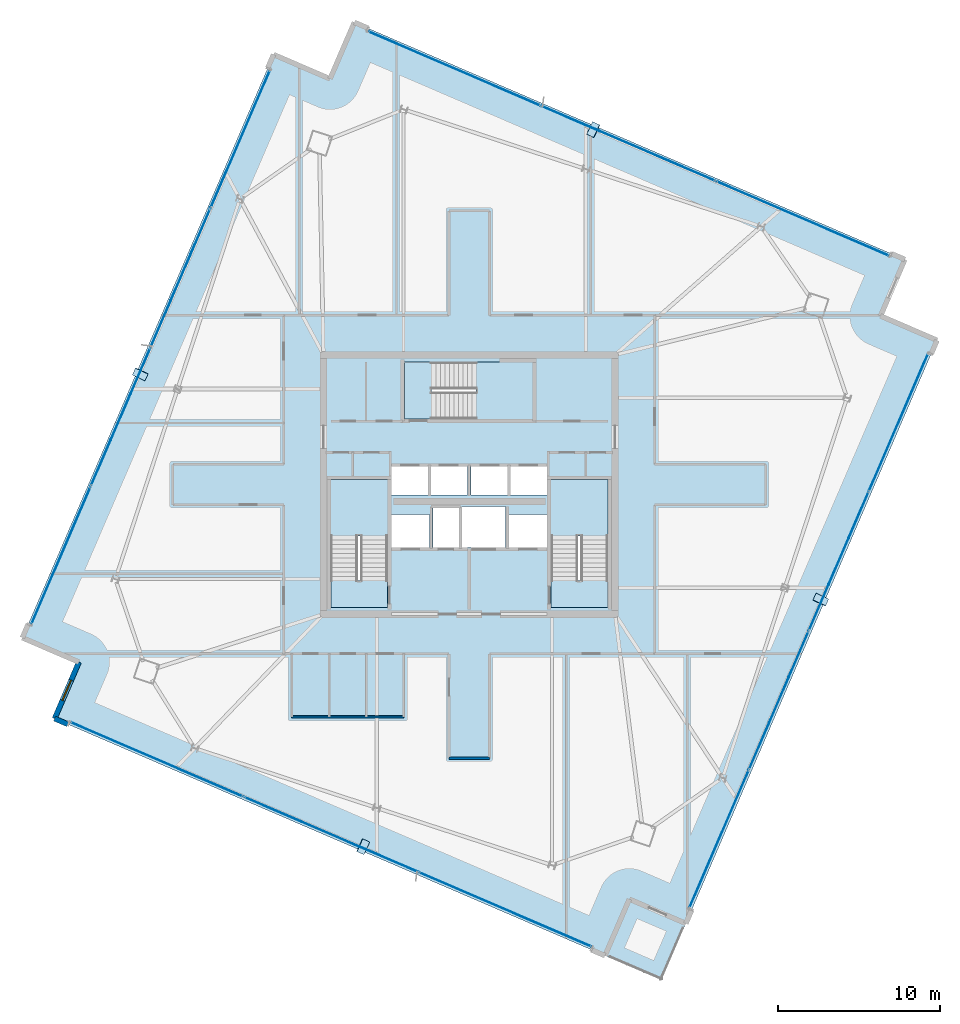
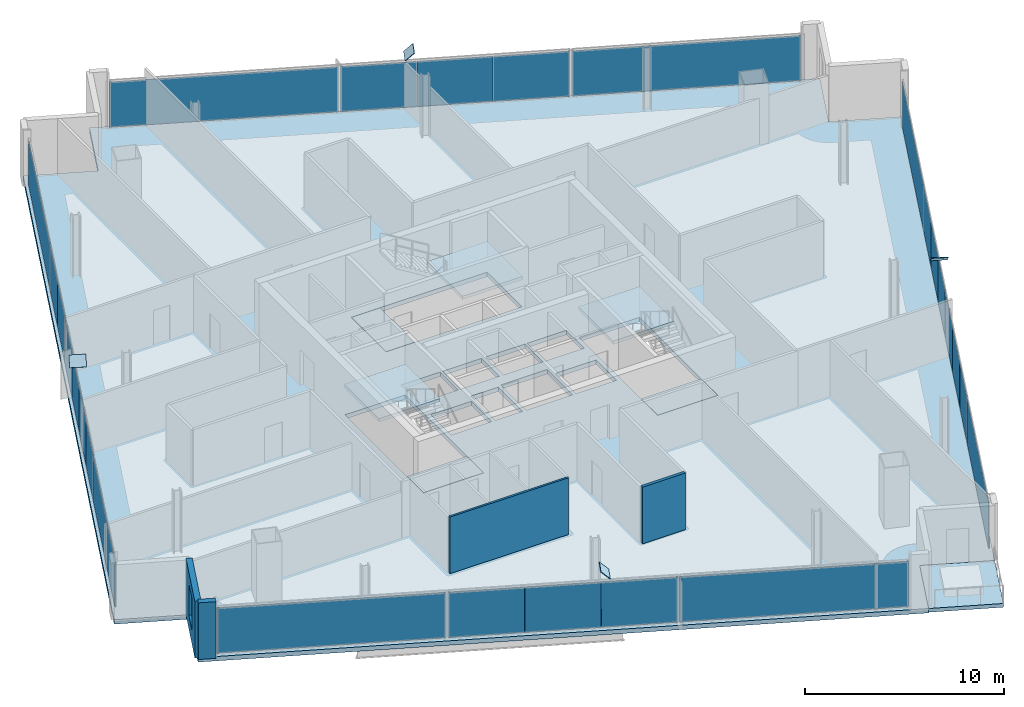
# One storey, part 19 of 28: 30 plates, 8 slabs, 4 walls, 1 window, 1 opening, 7 elements without a shape of their own.
"""IFC4 building model written with IfcOpenShell, lengths in metres."""

from ifc_helpers import new_model, si_unit, direction, frame, frame_2d, origin, origin_2d, place, context, subcontext, project, spatial, polyline, rectangle, outline, extrude, source, transform, mapped, material, layer, layer_set, type_object, element, fill, aggregate, save


model = new_model("IFC4")

# Units and contexts
model_context = context("Model", 3, precision=1e-05, world=origin(), true_north=direction((0.0, 1.0)))
body_context = subcontext(model_context, "Body", "Model", "MODEL_VIEW")
ifc_project = project(units=[si_unit("LENGTHUNIT", "METRE"), si_unit("AREAUNIT", "SQUARE_METRE"), si_unit("VOLUMEUNIT", "CUBIC_METRE"), si_unit("PLANEANGLEUNIT", "RADIAN"), si_unit("MASSUNIT", "GRAM", prefix="KILO")], contexts=[model_context])

# Site, building, storey
site_placement = place(None, origin())
site = spatial("IfcSite", under=ifc_project, at=site_placement, CompositionType="ELEMENT")
building_placement = place(site_placement, origin())
building = spatial("IfcBuilding", under=site, at=building_placement, Name="Haldenkirk Collegiate Tower", CompositionType="ELEMENT")
storey_placement = place(building_placement, frame((0.0, 0.0, 252.449951171875)))
storey = spatial("IfcBuildingStorey", under=building, at=storey_placement, Name="L63", CompositionType="ELEMENT", Elevation=252.449951171875)

# Slab
ifc_material_1 = material(Name="Concrete f'c 40 MPa", Category="concrete")
ifc_layer_1 = layer(ifc_material_1, 0.27001953125)
ifc_layer_set_1 = layer_set([ifc_layer_1], Name="Concrete f'c 40 MPa")
slab_type_1 = type_object("IfcSlabType", Name="SLB-FLR-270", PredefinedType="FLOOR", material=ifc_layer_set_1)
slab_1_placement = place(storey_placement, frame((0.0, 0.0, -0.27001953125)))
element("IfcSlab", 1, at=slab_1_placement, inside=storey, type_object=slab_type_1, Name="L63 composite structural floor slab", PredefinedType="FLOOR", context=body_context, shape_type="SweptSolid", body=[
    extrude(outline(polyline([(49.37158203125, -1.09912109375), (64.876953125, 34.904052734375), (61.386962890625, 36.406982421875), (62.889892578125, 39.897216796875), (28.907470703125, 54.532470703125), (27.404296875, 51.042236328125), (23.914306640625, 52.54541015625), (8.408935546875, 16.542236328125), (11.89892578125, 15.039306640625), (10.39599609375, 11.549072265625), (44.37841796875, -3.086181640625), (45.881591796875, 0.404052734375), (49.37158203125, -1.09912109375)]), holes=[polyline([(27.449951171875, 18.39990234375), (30.949951171875, 18.39990234375), (30.949951171875, 26.300048828125), (27.449951171875, 26.300048828125), (27.449951171875, 18.39990234375)]), polyline([(41.050048828125, 18.39990234375), (44.550048828125, 18.39990234375), (44.550048828125, 26.300048828125), (41.050048828125, 26.300048828125), (41.050048828125, 18.39990234375)]), polyline([(32.0, 30.050048828125), (39.89990234375, 30.050048828125), (39.89990234375, 33.550048828125), (32.0, 33.550048828125), (32.0, 30.050048828125)]), polyline([(33.75, 22.10009765625), (35.35009765625, 22.10009765625), (35.35009765625, 24.550048828125), (33.75, 24.550048828125), (33.75, 22.10009765625)]), polyline([(31.199951171875, 25.35009765625), (33.47998046875, 25.35009765625), (33.47998046875, 27.14990234375), (31.199951171875, 27.14990234375), (31.199951171875, 25.35009765625)]), polyline([(33.60009765625, 25.35009765625), (35.8798828125, 25.35009765625), (35.8798828125, 27.14990234375), (33.60009765625, 27.14990234375), (33.60009765625, 25.35009765625)]), polyline([(36.1201171875, 25.35009765625), (38.39990234375, 25.35009765625), (38.39990234375, 27.14990234375), (36.1201171875, 27.14990234375), (36.1201171875, 25.35009765625)]), polyline([(38.52001953125, 25.35009765625), (40.800048828125, 25.35009765625), (40.800048828125, 27.14990234375), (38.52001953125, 27.14990234375), (38.52001953125, 25.35009765625)]), polyline([(31.199951171875, 22.10009765625), (33.550048828125, 22.10009765625), (33.550048828125, 24.14990234375), (31.199951171875, 24.14990234375), (31.199951171875, 22.10009765625)]), polyline([(38.449951171875, 22.10009765625), (40.800048828125, 22.10009765625), (40.800048828125, 24.14990234375), (38.449951171875, 24.14990234375), (38.449951171875, 22.10009765625)]), polyline([(35.550048828125, 22.10009765625), (38.25, 22.10009765625), (38.25, 24.64990234375), (35.550048828125, 24.64990234375), (35.550048828125, 22.10009765625)])]), origin(), (0.0, 0.0, 1.0), 0.27001953125),
])

# Stair, slab
stair_type = type_object("IfcStairType", Name="STR-DOGLEG-1650", PredefinedType="HALF_TURN_STAIR", material=ifc_material_1)
stair_1_placement = place(storey_placement, origin())
stair_1 = element("IfcStair", 2, at=stair_1_placement, inside=storey, type_object=stair_type, Name="L63 Core Exit Stair ST-1", PredefinedType="HALF_TURN_STAIR")
ifc_layer_2 = layer(ifc_material_1, 0.199951171875)
ifc_layer_set_2 = layer_set([ifc_layer_2], Name="Concrete f'c 40 MPa")
slab_type_2 = type_object("IfcSlabType", Name="SLB-LANDING-200", PredefinedType="LANDING", material=ifc_layer_set_2)
slab_2_placement = place(storey_placement, frame((0.0, 0.0, 1.675048828125)))
slab_2 = element("IfcSlab", 3, at=slab_2_placement, type_object=slab_type_2, Name="ST-1 landing 1", PredefinedType="LANDING", context=body_context, shape_type="SweptSolid", body=[
    extrude(outline(polyline([(30.97509765625, 22.824951171875), (27.425048828125, 22.824951171875), (27.425048828125, 26.324951171875), (30.97509765625, 26.324951171875), (30.97509765625, 22.824951171875)])), origin(), (0.0, 0.0, 1.0), 0.199951171875),
])
aggregate(stair_1, [slab_2])

stair_2_placement = place(storey_placement, origin())
stair_2 = element("IfcStair", 4, at=stair_2_placement, inside=storey, type_object=stair_type, Name="L63 Core Exit Stair ST-2", PredefinedType="HALF_TURN_STAIR")
slab_3_placement = place(storey_placement, frame((0.0, 0.0, 1.675048828125)))
slab_3 = element("IfcSlab", 5, at=slab_3_placement, type_object=slab_type_2, Name="ST-2 landing 1", PredefinedType="LANDING", context=body_context, shape_type="SweptSolid", body=[
    extrude(outline(polyline([(44.574951171875, 22.824951171875), (41.02490234375, 22.824951171875), (41.02490234375, 26.324951171875), (44.574951171875, 26.324951171875), (44.574951171875, 22.824951171875)])), origin(), (0.0, 0.0, 1.0), 0.199951171875),
])
aggregate(stair_2, [slab_3])

stair_3_placement = place(storey_placement, origin())
stair_3 = element("IfcStair", 6, at=stair_3_placement, inside=storey, type_object=stair_type, Name="L63 Core Exit Stair ST-3", PredefinedType="HALF_TURN_STAIR")
slab_4_placement = place(storey_placement, frame((0.0, 0.0, 1.675048828125)))
slab_4 = element("IfcSlab", 7, at=slab_4_placement, type_object=slab_type_2, Name="ST-3 landing 1", PredefinedType="LANDING", context=body_context, shape_type="SweptSolid", body=[
    extrude(outline(polyline([(36.425048828125, 30.02490234375), (36.425048828125, 33.574951171875), (39.925048828125, 33.574951171875), (39.925048828125, 30.02490234375), (36.425048828125, 30.02490234375)])), origin(), (0.0, 0.0, 1.0), 0.199951171875),
])
aggregate(stair_3, [slab_4])

# Slabs
ifc_layer_3 = layer(ifc_material_1, 0.25)
ifc_layer_set_3 = layer_set([ifc_layer_3], Name="Concrete f'c 40 MPa")
slab_type_3 = type_object("IfcSlabType", Name="SLB-STAIRLAND-250", PredefinedType="LANDING", material=ifc_layer_set_3)
slab_5_placement = place(storey_placement, frame((0.0, 0.0, -0.25)))
element("IfcSlab", 8, at=slab_5_placement, inside=storey, type_object=slab_type_3, Name="L63 stair ST1 structural floor landing slab", PredefinedType="LANDING", context=body_context, shape_type="SweptSolid", body=[
    extrude(outline(polyline([(27.4599609375, 18.409912109375), (30.93994140625, 18.409912109375), (30.93994140625, 20.080078125), (27.4599609375, 20.080078125), (27.4599609375, 18.409912109375)])), origin(), (0.0, 0.0, 1.0), 0.25),
])
slab_6_placement = place(storey_placement, frame((0.0, 0.0, -0.25)))
element("IfcSlab", 9, at=slab_6_placement, inside=storey, type_object=slab_type_3, Name="L63 stair ST2 structural floor landing slab", PredefinedType="LANDING", context=body_context, shape_type="SweptSolid", body=[
    extrude(outline(polyline([(41.06005859375, 18.409912109375), (44.5400390625, 18.409912109375), (44.5400390625, 20.080078125), (41.06005859375, 20.080078125), (41.06005859375, 18.409912109375)])), origin(), (0.0, 0.0, 1.0), 0.25),
])
slab_7_placement = place(storey_placement, frame((0.0, 0.0, -0.25)))
element("IfcSlab", 10, at=slab_7_placement, inside=storey, type_object=slab_type_3, Name="L63 stair ST3 structural floor landing slab", PredefinedType="LANDING", context=body_context, shape_type="SweptSolid", body=[
    extrude(outline(polyline([(32.010009765625, 30.06005859375), (33.679931640625, 30.06005859375), (33.679931640625, 33.5400390625), (32.010009765625, 33.5400390625), (32.010009765625, 30.06005859375)])), origin(), (0.0, 0.0, 1.0), 0.25),
])
ifc_layer_4 = layer(ifc_material_1, 0.22998046875)
ifc_layer_set_4 = layer_set([ifc_layer_4], Name="Concrete f'c 40 MPa")
slab_type_4 = type_object("IfcSlabType", Name="SLB-TERR-SPIRAL-230", PredefinedType="FLOOR", material=ifc_layer_set_4)
slab_8_placement = place(storey_placement, frame((0.0, 0.0, -0.22998046875)))
element("IfcSlab", 11, at=slab_8_placement, inside=storey, type_object=slab_type_4, Name="L63 spiralling corner terrace slab", PredefinedType="FLOOR", context=body_context, shape_type="SweptSolid", body=[
    extrude(outline(polyline([(47.868408203125, -4.589111328125), (49.37158203125, -1.09912109375), (45.881591796875, 0.404052734375), (44.37841796875, -3.086181640625), (47.868408203125, -4.589111328125)])), origin(), (0.0, 0.0, 1.0), 0.22998046875),
])

# Plates
ifc_material_2 = material(Name="Steel ASTM A572 Grade 50", Category="steel")
ifc_layer_5 = layer(ifc_material_2, 0.034912109375)
ifc_layer_set_5 = layer_set([ifc_layer_5], Name="Steel ASTM A572 Grade 50")
plate_type_1 = type_object("IfcPlateType", Name="PLT-CAP-EXT-760X600", PredefinedType="USERDEFINED", material=ifc_layer_set_5)
shared_shape_1 = source(origin(), body_context, "Body", "SweptSolid", [
    extrude(rectangle(XDim=0.860107421875, YDim=0.659912109375, at=origin_2d()), origin(), (0.0, 0.0, 1.0), 0.034912109375),
])
for number, where, z_axis, x_axis, name in (
    (12, (57.696533203125, 18.88037109375, 3.468017578125), (0.302261025451, 0.649100054655, 0.698074058779), (-0.906531996108, 0.422137110466, 9.9233e-08), "Perimeter Mega Brace Z5 L61-L63 SL end cap plate 2"),
    (13, (43.667724609375, 47.90576171875, 3.468017578125), (-0.630324808105, 0.294665910292, 0.718235781341), (-0.423492771945, -0.905899482343, -4.24112e-07), "Perimeter Mega Brace Z5 L61-L63 EL end cap plate 2"),
    (14, (15.691162109375, 32.81591796875, 3.468017578125), (-0.304192068022, -0.650800145529, 0.695648155558), (0.905924098725, -0.4234401107, 5.6631e-08), "Perimeter Mega Brace Z5 L61-L63 NL end cap plate 2"),
    (15, (29.439697265625, 3.643798828125, 3.468017578125), (0.633144802174, -0.291306908981, 0.717124775935), (0.417977551627, 0.908457355265, -5.71915e-07), "Perimeter Mega Brace Z5 L61-L63 WL end cap plate 2"),
):
    element("IfcPlate", number, at=place(storey_placement, frame(where, z_axis=z_axis, x_axis=x_axis)), inside=storey, type_object=plate_type_1, Name=name, ObjectType="END CAP PLATE", PredefinedType="USERDEFINED", context=body_context, shape_type="MappedRepresentation", body=[
        mapped(shared_shape_1, transform((0.0, 0.0, 0.0), x_axis=(1.0, 0.0, 0.0), y_axis=(0.0, 1.0, 0.0), z_axis=(0.0, 0.0, 1.0), scale=1.0)),
    ])

# Curtain wall, plates
ifc_material_3 = material(Name="Anodised architectural bronze aluminium", Category="aluminium")
curtain_wall_type_1 = type_object("IfcCurtainWallType", Name="CW-SYS2-CONCAVE", PredefinedType="USERDEFINED", material=ifc_material_3)
curtain_wall_1_placement = place(storey_placement, origin())
curtain_wall_1 = element("IfcCurtainWall", 16, at=curtain_wall_1_placement, inside=storey, type_object=curtain_wall_type_1, Name="L63 South concave recessed bronze-anodised curtain wall", ObjectType="UNITISED CURTAIN WALL", PredefinedType="USERDEFINED")
ifc_material_4 = material(Name="Low-E argon triple insulating glass", Category="glass")
ifc_layer_6 = layer(ifc_material_4, 0.0419921875)
ifc_layer_set_6 = layer_set([ifc_layer_6], Name="Low-E argon triple insulating glass")
plate_type_2 = type_object("IfcPlateType", Name="CW-PNL-02", PredefinedType="CURTAIN_PANEL", material=ifc_layer_set_6)
shared_shape_2 = source(origin(), body_context, "Body", "SweptSolid", [
    extrude(rectangle(XDim=9.237548828125, YDim=0.0419921875, at=origin_2d()), origin(), (0.0, 0.0, 1.0), 2.7880859375),
])
plate_1_placement = place(storey_placement, frame((62.4990234375, 29.837646484375, 0.074951171875), z_axis=(0.0, 0.0, 1.0), x_axis=(-0.395545410215, -0.918446421115, 0.0)))
plate_1 = element("IfcPlate", 17, at=plate_1_placement, type_object=plate_type_2, Name="CW-02 panel 1.1", PredefinedType="CURTAIN_PANEL", context=body_context, shape_type="MappedRepresentation", body=[
    mapped(shared_shape_2, transform((0.0, 0.0, 0.0), x_axis=(1.0, 0.0, 0.0), y_axis=(0.0, 1.0, 0.0), z_axis=(0.0, 0.0, 1.0), scale=1.0)),
])
plate_2_placement = place(storey_placement, frame((51.4189453125, 4.109619140625, 0.074951171875), z_axis=(0.0, 0.0, 1.0), x_axis=(-0.395545410215, -0.918446421115, 0.0)))
plate_2 = element("IfcPlate", 18, at=plate_2_placement, type_object=plate_type_2, Name="CW-02 panel 4.1", PredefinedType="CURTAIN_PANEL", context=body_context, shape_type="MappedRepresentation", body=[
    mapped(shared_shape_2, transform((0.0, 0.0, 0.0), x_axis=(1.0, 0.0, 0.0), y_axis=(0.0, 1.0, 0.0), z_axis=(0.0, 0.0, 1.0), scale=1.0)),
])
shared_shape_3 = source(origin(), body_context, "Body", "SweptSolid", [
    extrude(rectangle(XDim=3.0791015625, YDim=0.0419921875, at=origin_2d()), origin(), (0.0, 0.0, 1.0), 2.7880859375),
])
plate_3_placement = place(storey_placement, frame((60.033447265625, 24.11279296875, 0.074951171875), z_axis=(0.0, 0.0, 1.0), x_axis=(-0.395545410215, -0.918446421115, 0.0)))
plate_3 = element("IfcPlate", 19, at=plate_3_placement, type_object=plate_type_2, Name="CW-02 panel 2.1a", PredefinedType="CURTAIN_PANEL", context=body_context, shape_type="MappedRepresentation", body=[
    mapped(shared_shape_3, transform((0.0, 0.0, 0.0), x_axis=(1.0, 0.0, 0.0), y_axis=(0.0, 1.0, 0.0), z_axis=(0.0, 0.0, 1.0), scale=1.0)),
])
ifc_material_5 = material(Name="Bronze-anodised insulated aluminium spandrel panel", Category="aluminium")
ifc_layer_7 = layer(ifc_material_5, 0.0419921875)
ifc_layer_set_7 = layer_set([ifc_layer_7], Name="Bronze-anodised insulated aluminium spandrel panel")
plate_type_3 = type_object("IfcPlateType", Name="CW-SPD-02", PredefinedType="CURTAIN_PANEL", material=ifc_layer_set_7)
plate_4_placement = place(storey_placement, frame((57.582763671875, 18.422119140625, 0.074951171875), z_axis=(0.0, 0.0, 1.0), x_axis=(-0.395545410215, -0.918446421115, 0.0)))
plate_4 = element("IfcPlate", 20, at=plate_4_placement, type_object=plate_type_3, Name="CW-02 spandrel panel 2.1c", PredefinedType="CURTAIN_PANEL", context=body_context, shape_type="MappedRepresentation", body=[
    mapped(shared_shape_3, transform((0.0, 0.0, 0.0), x_axis=(1.0, 0.0, 0.0), y_axis=(0.0, 1.0, 0.0), z_axis=(0.0, 0.0, 1.0), scale=1.0)),
])
plate_5_placement = place(storey_placement, frame((56.335205078125, 15.525146484375, 0.074951171875), z_axis=(0.0, 0.0, 1.0), x_axis=(-0.395545410215, -0.918446421115, 0.0)))
plate_5 = element("IfcPlate", 21, at=plate_5_placement, type_object=plate_type_3, Name="CW-02 spandrel panel 3.1a", PredefinedType="CURTAIN_PANEL", context=body_context, shape_type="MappedRepresentation", body=[
    mapped(shared_shape_3, transform((0.0, 0.0, 0.0), x_axis=(1.0, 0.0, 0.0), y_axis=(0.0, 1.0, 0.0), z_axis=(0.0, 0.0, 1.0), scale=1.0)),
])
plate_6_placement = place(storey_placement, frame((53.884521484375, 9.834716796875, 0.074951171875), z_axis=(0.0, 0.0, 1.0), x_axis=(-0.395545410215, -0.918446421115, 0.0)))
plate_6 = element("IfcPlate", 22, at=plate_6_placement, type_object=plate_type_2, Name="CW-02 panel 3.1c", PredefinedType="CURTAIN_PANEL", context=body_context, shape_type="MappedRepresentation", body=[
    mapped(shared_shape_3, transform((0.0, 0.0, 0.0), x_axis=(1.0, 0.0, 0.0), y_axis=(0.0, 1.0, 0.0), z_axis=(0.0, 0.0, 1.0), scale=1.0)),
])
shared_shape_4 = source(origin(), body_context, "Body", "SweptSolid", [
    extrude(rectangle(XDim=3.066650390625, YDim=0.0419921875, at=origin_2d()), origin(), (0.0, 0.0, 1.0), 2.7880859375),
])
plate_7_placement = place(storey_placement, frame((58.80810546875, 21.267333984375, 0.074951171875), z_axis=(0.0, 0.0, 1.0), x_axis=(-0.395545410215, -0.918446421115, 0.0)))
plate_7 = element("IfcPlate", 23, at=plate_7_placement, type_object=plate_type_2, Name="CW-02 panel 2.1b", PredefinedType="CURTAIN_PANEL", context=body_context, shape_type="MappedRepresentation", body=[
    mapped(shared_shape_4, transform((0.0, 0.0, 0.0), x_axis=(1.0, 0.0, 0.0), y_axis=(0.0, 1.0, 0.0), z_axis=(0.0, 0.0, 1.0), scale=1.0)),
])
plate_8_placement = place(storey_placement, frame((55.10986328125, 12.679931640625, 0.074951171875), z_axis=(0.0, 0.0, 1.0), x_axis=(-0.395545410215, -0.918446421115, 0.0)))
plate_8 = element("IfcPlate", 24, at=plate_8_placement, type_object=plate_type_2, Name="CW-02 panel 3.1b", PredefinedType="CURTAIN_PANEL", context=body_context, shape_type="MappedRepresentation", body=[
    mapped(shared_shape_4, transform((0.0, 0.0, 0.0), x_axis=(1.0, 0.0, 0.0), y_axis=(0.0, 1.0, 0.0), z_axis=(0.0, 0.0, 1.0), scale=1.0)),
])
aggregate(curtain_wall_1, [plate_1, plate_3, plate_7, plate_4, plate_5, plate_8, plate_6, plate_2])

curtain_wall_type_2 = type_object("IfcCurtainWallType", Name="CW-SYS1B-CONVEX-HI", PredefinedType="USERDEFINED", material=ifc_material_3)
curtain_wall_2_placement = place(storey_placement, origin())
curtain_wall_2 = element("IfcCurtainWall", 25, at=curtain_wall_2_placement, inside=storey, type_object=curtain_wall_type_2, Name="L63 Upper tower high-wind convex bronze unitised curtain wall", ObjectType="UNITISED CURTAIN WALL", PredefinedType="USERDEFINED")
ifc_layer_8 = layer(ifc_material_4, 0.048095703125)
ifc_layer_set_8 = layer_set([ifc_layer_8], Name="Low-E argon triple insulating glass")
plate_type_4 = type_object("IfcPlateType", Name="CW-PNL-1B", PredefinedType="CURTAIN_PANEL", material=ifc_layer_set_8)
shared_shape_5 = source(origin(), body_context, "Body", "SweptSolid", [
    extrude(rectangle(XDim=11.605712890625, YDim=0.048095703125, at=origin_2d()), origin(), (0.0, 0.0, 1.0), 2.76806640625),
])
plate_9_placement = place(storey_placement, frame((35.070556640625, 51.68212890625, 0.0849609375), z_axis=(0.0, 0.0, 1.0), x_axis=(0.918446342676, -0.395545592347, 0.0)))
plate_9 = element("IfcPlate", 26, at=plate_9_placement, type_object=plate_type_4, Name="CW-1B panel 1.1", PredefinedType="CURTAIN_PANEL", context=body_context, shape_type="MappedRepresentation", body=[
    mapped(shared_shape_5, transform((0.0, 0.0, 0.0), x_axis=(1.0, 0.0, 0.0), y_axis=(0.0, 1.0, 0.0), z_axis=(0.0, 0.0, 1.0), scale=1.0)),
])
plate_10_placement = place(storey_placement, frame((56.58447265625, 42.416748046875, 0.0849609375), z_axis=(0.0, 0.0, 1.0), x_axis=(0.918446342676, -0.395545592347, 0.0)))
plate_10 = element("IfcPlate", 27, at=plate_10_placement, type_object=plate_type_4, Name="CW-1B panel 3.1", PredefinedType="CURTAIN_PANEL", context=body_context, shape_type="MappedRepresentation", body=[
    mapped(shared_shape_5, transform((0.0, 0.0, 0.0), x_axis=(1.0, 0.0, 0.0), y_axis=(0.0, 1.0, 0.0), z_axis=(0.0, 0.0, 1.0), scale=1.0)),
])

curtain_wall_3_placement = place(storey_placement, origin())
curtain_wall_3 = element("IfcCurtainWall", 28, at=curtain_wall_3_placement, inside=storey, type_object=curtain_wall_type_2, Name="L63 Upper tower high-wind convex bronze unitised curtain wall", ObjectType="UNITISED CURTAIN WALL", PredefinedType="USERDEFINED")
plate_11_placement = place(storey_placement, frame((38.21533203125, -0.23583984375, 0.0849609375), z_axis=(0.0, 0.0, 1.0), x_axis=(-0.918446342676, 0.395545592347, 0.0)))
plate_11 = element("IfcPlate", 29, at=plate_11_placement, type_object=plate_type_4, Name="CW-1B panel 1.1", PredefinedType="CURTAIN_PANEL", context=body_context, shape_type="MappedRepresentation", body=[
    mapped(shared_shape_5, transform((0.0, 0.0, 0.0), x_axis=(1.0, 0.0, 0.0), y_axis=(0.0, 1.0, 0.0), z_axis=(0.0, 0.0, 1.0), scale=1.0)),
])
plate_12_placement = place(storey_placement, frame((16.701416015625, 9.029541015625, 0.0849609375), z_axis=(0.0, 0.0, 1.0), x_axis=(-0.918446342676, 0.395545592347, 0.0)))
plate_12 = element("IfcPlate", 30, at=plate_12_placement, type_object=plate_type_4, Name="CW-1B panel 3.1", PredefinedType="CURTAIN_PANEL", context=body_context, shape_type="MappedRepresentation", body=[
    mapped(shared_shape_5, transform((0.0, 0.0, 0.0), x_axis=(1.0, 0.0, 0.0), y_axis=(0.0, 1.0, 0.0), z_axis=(0.0, 0.0, 1.0), scale=1.0)),
])

# Plate
ifc_layer_9 = layer(ifc_material_5, 0.048095703125)
ifc_layer_set_9 = layer_set([ifc_layer_9], Name="Bronze-anodised insulated aluminium spandrel panel")
plate_type_5 = type_object("IfcPlateType", Name="CW-SPD-1B", PredefinedType="CURTAIN_PANEL", material=ifc_layer_set_9)
shared_shape_6 = source(origin(), body_context, "Body", "SweptSolid", [
    extrude(rectangle(XDim=3.870361328125, YDim=0.048095703125, at=origin_2d()), origin(), (0.0, 0.0, 1.0), 2.76806640625),
])
plate_13_placement = place(storey_placement, frame((42.255615234375, 48.587890625, 0.0849609375), z_axis=(0.0, 0.0, 1.0), x_axis=(0.918446342676, -0.395545592347, 0.0)))
plate_13 = element("IfcPlate", 31, at=plate_13_placement, type_object=plate_type_5, Name="CW-1B spandrel panel 2.1a", PredefinedType="CURTAIN_PANEL", context=body_context, shape_type="MappedRepresentation", body=[
    mapped(shared_shape_6, transform((0.0, 0.0, 0.0), x_axis=(1.0, 0.0, 0.0), y_axis=(0.0, 1.0, 0.0), z_axis=(0.0, 0.0, 1.0), scale=1.0)),
])

plate_14_placement = place(storey_placement, frame((49.3994140625, 45.51123046875, 0.0849609375), z_axis=(0.0, 0.0, 1.0), x_axis=(0.918446342676, -0.395545592347, 0.0)))
plate_14 = element("IfcPlate", 32, at=plate_14_placement, type_object=plate_type_4, Name="CW-1B panel 2.1c", PredefinedType="CURTAIN_PANEL", context=body_context, shape_type="MappedRepresentation", body=[
    mapped(shared_shape_6, transform((0.0, 0.0, 0.0), x_axis=(1.0, 0.0, 0.0), y_axis=(0.0, 1.0, 0.0), z_axis=(0.0, 0.0, 1.0), scale=1.0)),
])

plate_15_placement = place(storey_placement, frame((31.0302734375, 2.8583984375, 0.0849609375), z_axis=(0.0, 0.0, 1.0), x_axis=(-0.918446342676, 0.395545592347, 0.0)))
plate_15 = element("IfcPlate", 33, at=plate_15_placement, type_object=plate_type_5, Name="CW-1B spandrel panel 2.1a", PredefinedType="CURTAIN_PANEL", context=body_context, shape_type="MappedRepresentation", body=[
    mapped(shared_shape_6, transform((0.0, 0.0, 0.0), x_axis=(1.0, 0.0, 0.0), y_axis=(0.0, 1.0, 0.0), z_axis=(0.0, 0.0, 1.0), scale=1.0)),
])

plate_16_placement = place(storey_placement, frame((23.886474609375, 5.93505859375, 0.0849609375), z_axis=(0.0, 0.0, 1.0), x_axis=(-0.918446342676, 0.395545592347, 0.0)))
plate_16 = element("IfcPlate", 34, at=plate_16_placement, type_object=plate_type_4, Name="CW-1B panel 2.1c", PredefinedType="CURTAIN_PANEL", context=body_context, shape_type="MappedRepresentation", body=[
    mapped(shared_shape_6, transform((0.0, 0.0, 0.0), x_axis=(1.0, 0.0, 0.0), y_axis=(0.0, 1.0, 0.0), z_axis=(0.0, 0.0, 1.0), scale=1.0)),
])

shared_shape_7 = source(origin(), body_context, "Body", "SweptSolid", [
    extrude(rectangle(XDim=3.85791015625, YDim=0.048095703125, at=origin_2d()), origin(), (0.0, 0.0, 1.0), 2.76806640625),
])
plate_17_placement = place(storey_placement, frame((45.827392578125, 47.049560546875, 0.0849609375), z_axis=(0.0, 0.0, 1.0), x_axis=(0.918446342676, -0.395545592347, 0.0)))
plate_17 = element("IfcPlate", 35, at=plate_17_placement, type_object=plate_type_5, Name="CW-1B spandrel panel 2.1b", PredefinedType="CURTAIN_PANEL", context=body_context, shape_type="MappedRepresentation", body=[
    mapped(shared_shape_7, transform((0.0, 0.0, 0.0), x_axis=(1.0, 0.0, 0.0), y_axis=(0.0, 1.0, 0.0), z_axis=(0.0, 0.0, 1.0), scale=1.0)),
])

aggregate(curtain_wall_2, [plate_9, plate_13, plate_17, plate_14, plate_10])

plate_18_placement = place(storey_placement, frame((27.45849609375, 4.396728515625, 0.0849609375), z_axis=(0.0, 0.0, 1.0), x_axis=(-0.918446342676, 0.395545592347, 0.0)))
plate_18 = element("IfcPlate", 36, at=plate_18_placement, type_object=plate_type_5, Name="CW-1B spandrel panel 2.1b", PredefinedType="CURTAIN_PANEL", context=body_context, shape_type="MappedRepresentation", body=[
    mapped(shared_shape_7, transform((0.0, 0.0, 0.0), x_axis=(1.0, 0.0, 0.0), y_axis=(0.0, 1.0, 0.0), z_axis=(0.0, 0.0, 1.0), scale=1.0)),
])

aggregate(curtain_wall_3, [plate_11, plate_15, plate_18, plate_16, plate_12])

# Curtain wall, plates
curtain_wall_4_placement = place(storey_placement, origin())
curtain_wall_4 = element("IfcCurtainWall", 37, at=curtain_wall_4_placement, inside=storey, type_object=curtain_wall_type_2, Name="L63 Upper tower high-wind convex bronze unitised curtain wall", ObjectType="UNITISED CURTAIN WALL", PredefinedType="USERDEFINED")
shared_shape_8 = source(origin(), body_context, "Body", "SweptSolid", [
    extrude(rectangle(XDim=9.222412109375, YDim=0.048095703125, at=origin_2d()), origin(), (0.0, 0.0, 1.0), 2.76806640625),
])
plate_19_placement = place(storey_placement, frame((10.787841796875, 21.61083984375, 0.0849609375), z_axis=(0.0, 0.0, 1.0), x_axis=(0.395545410215, 0.918446421115, 0.0)))
plate_19 = element("IfcPlate", 38, at=plate_19_placement, type_object=plate_type_4, Name="CW-1B panel 1.1", PredefinedType="CURTAIN_PANEL", context=body_context, shape_type="MappedRepresentation", body=[
    mapped(shared_shape_8, transform((0.0, 0.0, 0.0), x_axis=(1.0, 0.0, 0.0), y_axis=(0.0, 1.0, 0.0), z_axis=(0.0, 0.0, 1.0), scale=1.0)),
])
plate_20_placement = place(storey_placement, frame((21.865966796875, 47.334228515625, 0.0849609375), z_axis=(0.0, 0.0, 1.0), x_axis=(0.395545410215, 0.918446421115, 0.0)))
plate_20 = element("IfcPlate", 39, at=plate_20_placement, type_object=plate_type_4, Name="CW-1B panel 4.1", PredefinedType="CURTAIN_PANEL", context=body_context, shape_type="MappedRepresentation", body=[
    mapped(shared_shape_8, transform((0.0, 0.0, 0.0), x_axis=(1.0, 0.0, 0.0), y_axis=(0.0, 1.0, 0.0), z_axis=(0.0, 0.0, 1.0), scale=1.0)),
])
shared_shape_9 = source(origin(), body_context, "Body", "SweptSolid", [
    extrude(rectangle(XDim=3.07568359375, YDim=0.048095703125, at=origin_2d()), origin(), (0.0, 0.0, 1.0), 2.76806640625),
])
plate_21_placement = place(storey_placement, frame((13.253662109375, 27.336669921875, 0.0849609375), z_axis=(0.0, 0.0, 1.0), x_axis=(0.395545410215, 0.918446421115, 0.0)))
plate_21 = element("IfcPlate", 40, at=plate_21_placement, type_object=plate_type_4, Name="CW-1B panel 2.1a", PredefinedType="CURTAIN_PANEL", context=body_context, shape_type="MappedRepresentation", body=[
    mapped(shared_shape_9, transform((0.0, 0.0, 0.0), x_axis=(1.0, 0.0, 0.0), y_axis=(0.0, 1.0, 0.0), z_axis=(0.0, 0.0, 1.0), scale=1.0)),
])
plate_22_placement = place(storey_placement, frame((15.701904296875, 33.02099609375, 0.0849609375), z_axis=(0.0, 0.0, 1.0), x_axis=(0.395545410215, 0.918446421115, 0.0)))
plate_22 = element("IfcPlate", 41, at=plate_22_placement, type_object=plate_type_5, Name="CW-1B spandrel panel 2.1c", PredefinedType="CURTAIN_PANEL", context=body_context, shape_type="MappedRepresentation", body=[
    mapped(shared_shape_9, transform((0.0, 0.0, 0.0), x_axis=(1.0, 0.0, 0.0), y_axis=(0.0, 1.0, 0.0), z_axis=(0.0, 0.0, 1.0), scale=1.0)),
])
plate_23_placement = place(storey_placement, frame((16.951904296875, 35.924072265625, 0.0849609375), z_axis=(0.0, 0.0, 1.0), x_axis=(0.395545410215, 0.918446421115, 0.0)))
plate_23 = element("IfcPlate", 42, at=plate_23_placement, type_object=plate_type_5, Name="CW-1B spandrel panel 3.1a", PredefinedType="CURTAIN_PANEL", context=body_context, shape_type="MappedRepresentation", body=[
    mapped(shared_shape_9, transform((0.0, 0.0, 0.0), x_axis=(1.0, 0.0, 0.0), y_axis=(0.0, 1.0, 0.0), z_axis=(0.0, 0.0, 1.0), scale=1.0)),
])
plate_24_placement = place(storey_placement, frame((19.400146484375, 41.6083984375, 0.0849609375), z_axis=(0.0, 0.0, 1.0), x_axis=(0.395545410215, 0.918446421115, 0.0)))
plate_24 = element("IfcPlate", 43, at=plate_24_placement, type_object=plate_type_4, Name="CW-1B panel 3.1c", PredefinedType="CURTAIN_PANEL", context=body_context, shape_type="MappedRepresentation", body=[
    mapped(shared_shape_9, transform((0.0, 0.0, 0.0), x_axis=(1.0, 0.0, 0.0), y_axis=(0.0, 1.0, 0.0), z_axis=(0.0, 0.0, 1.0), scale=1.0)),
])
shared_shape_10 = source(origin(), body_context, "Body", "SweptSolid", [
    extrude(rectangle(XDim=3.063232421875, YDim=0.048095703125, at=origin_2d()), origin(), (0.0, 0.0, 1.0), 2.76806640625),
])
plate_25_placement = place(storey_placement, frame((14.477783203125, 30.1787109375, 0.0849609375), z_axis=(0.0, 0.0, 1.0), x_axis=(0.395545410215, 0.918446421115, 0.0)))
plate_25 = element("IfcPlate", 44, at=plate_25_placement, type_object=plate_type_4, Name="CW-1B panel 2.1b", PredefinedType="CURTAIN_PANEL", context=body_context, shape_type="MappedRepresentation", body=[
    mapped(shared_shape_10, transform((0.0, 0.0, 0.0), x_axis=(1.0, 0.0, 0.0), y_axis=(0.0, 1.0, 0.0), z_axis=(0.0, 0.0, 1.0), scale=1.0)),
])
plate_26_placement = place(storey_placement, frame((18.176025390625, 38.766357421875, 0.0849609375), z_axis=(0.0, 0.0, 1.0), x_axis=(0.395545410215, 0.918446421115, 0.0)))
plate_26 = element("IfcPlate", 45, at=plate_26_placement, type_object=plate_type_4, Name="CW-1B panel 3.1b", PredefinedType="CURTAIN_PANEL", context=body_context, shape_type="MappedRepresentation", body=[
    mapped(shared_shape_10, transform((0.0, 0.0, 0.0), x_axis=(1.0, 0.0, 0.0), y_axis=(0.0, 1.0, 0.0), z_axis=(0.0, 0.0, 1.0), scale=1.0)),
])
aggregate(curtain_wall_4, [plate_19, plate_21, plate_25, plate_22, plate_23, plate_26, plate_24, plate_20])

# Wall, opening, window
ifc_material_6 = material(Name="Precast concrete f'c 40 MPa", Category="concrete")
ifc_layer_10 = layer(ifc_material_6, 0.320068359375)
ifc_layer_set_10 = layer_set([ifc_layer_10], Name="Precast concrete f'c 40 MPa")
wall_type_1 = type_object("IfcWallType", Name="WL-EXT-TWR-320", PredefinedType="STANDARD", material=ifc_layer_set_10)
wall_1_placement = place(storey_placement, frame((10.39599609375, 11.549072265625, 0.0), z_axis=(0.0, 0.0, 1.0), x_axis=(0.3955005046, 0.918465759221, 0.0)))
wall_1 = element("IfcWall", 46, at=wall_1_placement, inside=storey, type_object=wall_type_1, Name="L63 bronze precast notch wall 09", PredefinedType="STANDARD", context=body_context, shape_type="SweptSolid", body=[
    extrude(rectangle(XDim=3.800048828125, YDim=0.320068359375, at=frame_2d((1.89990234375, 0.0))), origin(), (0.0, 0.0, 1.0), 3.47998046875),
])
opening_placement = place(wall_1_placement, frame((1.22509765625, 0.0, 0.85009765625)))
opening = element("IfcOpeningElement", 47, at=opening_placement, cuts=wall_1, Name="Opening W-07", PredefinedType="OPENING", context=body_context, shape_type="SweptSolid", body=[
    extrude(rectangle(XDim=1.35009765625, YDim=1.949951171875, at=frame_2d((0.675048828125, 0.97509765625))), frame((0.0, 0.169921875, 0.0), z_axis=(0.0, -1.0, 0.0), x_axis=(1.0, 0.0, 0.0)), (0.0, 0.0, 1.0), 0.340087890625),
])
ifc_layer_11 = layer(ifc_material_4, 0.090087890625)
ifc_layer_set_11 = layer_set([ifc_layer_11], Name="Low-E argon triple insulating glass")
window_type = type_object("IfcWindowType", Name="WN-Z5-1350X1950", PartitioningType="SINGLE_PANEL", PredefinedType="WINDOW", material=ifc_layer_set_11)
window_placement = place(opening_placement, origin())
window = element("IfcWindow", 48, at=window_placement, inside=storey, type_object=window_type, Name="L63 precast-frame academic window 8", OverallHeight=1.949951171875, OverallWidth=1.35009765625, PartitioningType="SINGLE_PANEL", PredefinedType="WINDOW", context=body_context, shape_type="SweptSolid", body=[
    extrude(rectangle(XDim=1.35009765625, YDim=1.949951171875, at=frame_2d((0.675048828125, 0.97509765625))), frame((0.0, 0.030029296875, 0.0), z_axis=(0.0, -1.0, 0.0), x_axis=(1.0, 0.0, 0.0)), (0.0, 0.0, 1.0), 0.06005859375),
])
fill(opening, window)

# Walls
wall_2_placement = place(storey_placement, frame((11.222412109375, 11.193115234375, 0.0), z_axis=(0.0, 0.0, 1.0), x_axis=(-0.918427781914, 0.395588687158, 0.0)))
element("IfcWall", 49, at=wall_2_placement, inside=storey, type_object=wall_type_1, Name="L63 precast corner pier WR", PredefinedType="STANDARD", context=body_context, shape_type="SweptSolid", body=[
    extrude(rectangle(XDim=0.89990234375, YDim=0.320068359375, at=frame_2d((0.449951171875, 0.0))), origin(), (0.0, 0.0, 1.0), 3.47998046875),
])
ifc_material_7 = material(Name="Acoustic fire-rated gypsum partition", Category="concrete")
ifc_layer_12 = layer(ifc_material_7, 0.159912109375)
ifc_layer_set_12 = layer_set([ifc_layer_12], Name="Acoustic fire-rated gypsum partition")
wall_type_2 = type_object("IfcWallType", Name="WL-INT-CORR-160", PredefinedType="PARTITIONING", material=ifc_layer_set_12)
wall_3_placement = place(storey_placement, frame((34.75, 9.10009765625, 0.0), z_axis=(0.0, 0.0, 1.0), x_axis=(1.0, 0.0, 0.0)))
element("IfcWall", 50, at=wall_3_placement, inside=storey, type_object=wall_type_2, Name="L63 interior partition IW-L63-SPS", PredefinedType="PARTITIONING", context=body_context, shape_type="SweptSolid", body=[
    extrude(rectangle(XDim=2.5, YDim=0.159912109375, at=frame_2d((1.25, 0.0))), origin(), (0.0, 0.0, 1.0), 3.47998046875),
])
ifc_layer_13 = layer(ifc_material_7, 0.1201171875)
ifc_layer_set_13 = layer_set([ifc_layer_13], Name="Acoustic fire-rated gypsum partition")
wall_type_3 = type_object("IfcWallType", Name="WL-INT-WET-120", PredefinedType="PARTITIONING", material=ifc_layer_set_13)
wall_4_placement = place(storey_placement, frame((25.050048828125, 11.64990234375, 0.0), z_axis=(0.0, 0.0, 1.0), x_axis=(1.0, 0.0, 0.0)))
element("IfcWall", 51, at=wall_4_placement, inside=storey, type_object=wall_type_3, Name="L63 interior partition IW-L63-WCB", PredefinedType="PARTITIONING", context=body_context, shape_type="SweptSolid", body=[
    extrude(rectangle(XDim=6.89990234375, YDim=0.1201171875, at=frame_2d((3.449951171875, 0.0))), origin(), (0.0, 0.0, 1.0), 3.47998046875),
])

save(model, "model.ifc")
